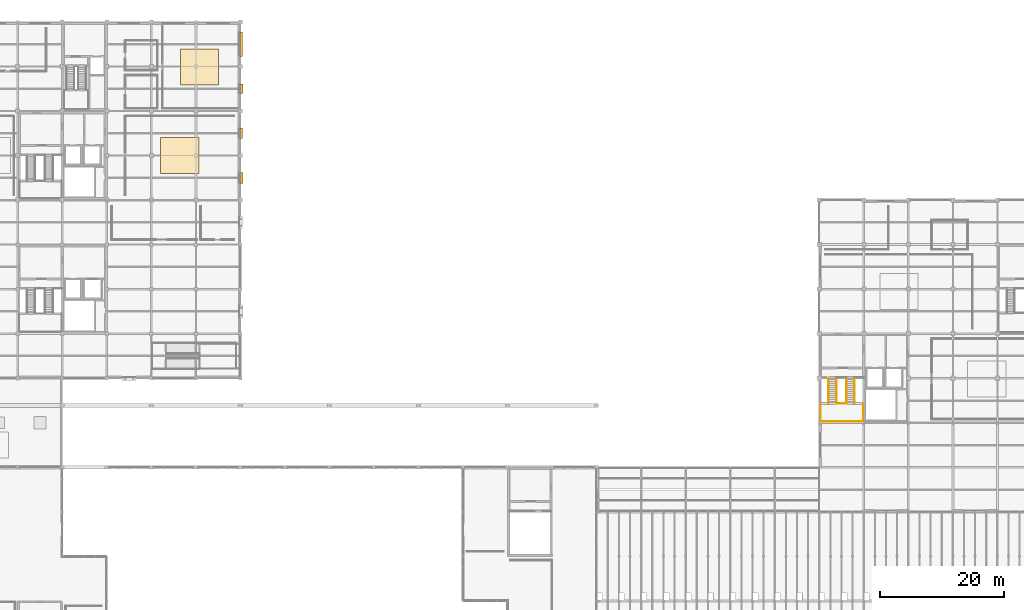
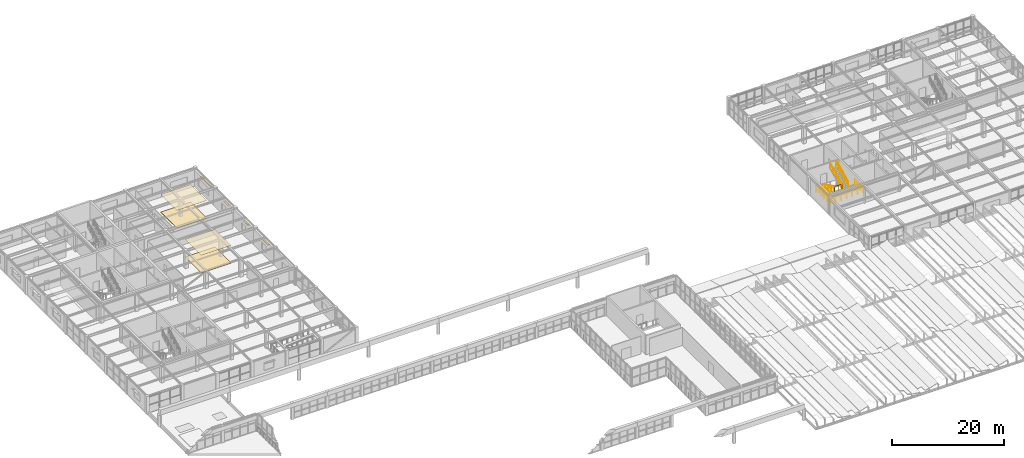
# One storey, part 82 of 83: 8 railings, 4 coverings, 4 shading devices.
"""IFC4 building model written with IfcOpenShell, lengths in metres."""

from ifc_helpers import new_model, si_unit, direction, frame, origin, origin_2d, place, context, subcontext, project, spatial, rectangle, circle, extrude, material, layer, layer_set, type_object, element, save


model = new_model("IFC4")

# Units and contexts
model_context = context("Model", 3, precision=1e-05, world=origin(), true_north=direction((0.0, 1.0)))
body_context = subcontext(model_context, "Body", "Model", "MODEL_VIEW")
ifc_project = project(units=[si_unit("LENGTHUNIT", "METRE"), si_unit("AREAUNIT", "SQUARE_METRE"), si_unit("VOLUMEUNIT", "CUBIC_METRE"), si_unit("PLANEANGLEUNIT", "RADIAN"), si_unit("MASSUNIT", "GRAM", prefix="KILO")], contexts=[model_context])

# Site, building, storey
site_placement = place(None, origin())
site = spatial("IfcSite", under=ifc_project, at=site_placement, CompositionType="ELEMENT")
building_placement = place(site_placement, origin())
building = spatial("IfcBuilding", under=site, at=building_placement, Name="Leyfeld Transit Interchange", CompositionType="ELEMENT")
storey_placement = place(building_placement, frame((0.0, 0.0, 5.39990234375)))
storey = spatial("IfcBuildingStorey", under=building, at=storey_placement, Name="L01", CompositionType="ELEMENT", Elevation=5.39990234375)

# Coverings
ifc_material_1 = material(Name="Austrian larch acoustic slat ceiling", Category="wood")
ifc_layer_1 = layer(ifc_material_1, 0.0400390625, Name="Austrian larch acoustic slat ceiling")
ifc_layer_set_1 = layer_set([ifc_layer_1], Name="Austrian larch acoustic slat ceiling")
covering_type_1 = type_object("IfcCoveringType", Name="COV-CLG-LRC", PredefinedType="CEILING", material=ifc_layer_set_1)
for number, where, z_axis, x_axis, name in (
    (1, (33.39990234375, 100.800048828125, 3.844970703125), (0.0, 0.0, 1.0), (1.0, 0.0, 0.0), "Acoustic Slat Ceiling Train & Coach Drivers Lounge"),
    (2, (36.60009765625, 115.10009765625, 3.844970703125), (0.0, 0.0, 1.0), (1.0, 0.0, 0.0), "Acoustic Slat Ceiling Crew Roster & Dispatch Planning Office"),
):
    element("IfcCovering", number, at=place(storey_placement, frame(where, z_axis=z_axis, x_axis=x_axis)), inside=storey, type_object=covering_type_1, Name=name, PredefinedType="CEILING", context=body_context, shape_type="SweptSolid", body=[
        extrude(rectangle(XDim=6.199951171875, YDim=5.800048828125, at=origin_2d()), origin(), (0.0, 0.0, 1.0), 0.0400390625),
    ])
ifc_material_2 = material(Name="Polished Danube terrazzo flooring", Category="stone")
ifc_layer_2 = layer(ifc_material_2, 0.030029296875, Name="Polished Danube terrazzo flooring")
ifc_layer_set_2 = layer_set([ifc_layer_2], Name="Polished Danube terrazzo flooring")
covering_type_2 = type_object("IfcCoveringType", Name="COV-FLR-TRZ", PredefinedType="FLOORING", material=ifc_layer_set_2)
for number, where, z_axis, x_axis, name in (
    (3, (33.39990234375, 100.800048828125, 0.0), (0.0, 0.0, 1.0), (1.0, 0.0, 0.0), "Terrazzo Flooring Train & Coach Drivers Lounge"),
    (4, (36.60009765625, 115.10009765625, 0.0), (0.0, 0.0, 1.0), (1.0, 0.0, 0.0), "Terrazzo Flooring Crew Roster & Dispatch Planning Office"),
):
    element("IfcCovering", number, at=place(storey_placement, frame(where, z_axis=z_axis, x_axis=x_axis)), inside=storey, type_object=covering_type_2, Name=name, PredefinedType="FLOORING", context=body_context, shape_type="SweptSolid", body=[
        extrude(rectangle(XDim=6.199951171875, YDim=5.800048828125, at=origin_2d()), origin(), (0.0, 0.0, 1.0), 0.030029296875),
    ])

# Railings
ifc_material_3 = material(Name="Stainless steel EN 1.4404", Category="steel")
railing_type_1 = type_object("IfcRailingType", Name="RL-STR-GRD-1100", PredefinedType="GUARDRAIL", material=ifc_material_3)
railing_1_placement = place(storey_placement, frame((139.610107421875, 60.699951171875, 2.10009765625)))
element("IfcRailing", 5, at=railing_1_placement, inside=storey, type_object=railing_type_1, Name="Stair ST-04 L01 Half-Landing Inner Guard", PredefinedType="GUARDRAIL", context=body_context, shape_type="SweptSolid", body=[
    extrude(circle(Radius=0.02392578125, at=origin_2d()), frame((0.0, 0.0, 1.09619140625), z_axis=(1.0, 0.0, 0.0), x_axis=(0.0, 1.0, 0.0)), (0.0, 0.0, 1.0), 1.579833984375),
    extrude(circle(Radius=0.02099609375, at=origin_2d()), origin(), (0.0, 0.0, 1.0), 1.072021484375),
    extrude(circle(Radius=0.02099609375, at=origin_2d()), frame((0.7900390625, 0.0, 0.0)), (0.0, 0.0, 1.0), 1.072021484375),
    extrude(circle(Radius=0.02099609375, at=origin_2d()), frame((1.579833984375, 0.0, 0.0)), (0.0, 0.0, 1.0), 1.072021484375),
])
railing_2_placement = place(storey_placement, frame((137.030029296875, 60.699951171875, 2.10009765625)))
element("IfcRailing", 6, at=railing_2_placement, inside=storey, type_object=railing_type_1, Name="Stair ST-04 L01 Half-Landing Perimeter Guard", PredefinedType="GUARDRAIL", context=body_context, shape_type="SweptSolid", body=[
    extrude(circle(Radius=0.02392578125, at=origin_2d()), frame((0.0, 0.0, 1.09619140625), z_axis=(0.0, -1.0, 0.0), x_axis=(1.0, 0.0, 0.0)), (0.0, 0.0, 1.0), 2.869873046875),
    extrude(circle(Radius=0.02392578125, at=origin_2d()), frame((0.0, -2.869873046875, 1.09619140625), z_axis=(1.0, 0.0, 0.0), x_axis=(0.0, 1.0, 0.0)), (0.0, 0.0, 1.0), 6.889892578125),
    extrude(circle(Radius=0.02392578125, at=origin_2d()), frame((6.889892578125, -2.869873046875, 1.09619140625), z_axis=(0.0, 1.0, 0.0), x_axis=(-1.0, 0.0, 0.0)), (0.0, 0.0, 1.0), 2.869873046875),
    extrude(circle(Radius=0.02099609375, at=origin_2d()), origin(), (0.0, 0.0, 1.0), 1.072021484375),
    extrude(circle(Radius=0.02099609375, at=origin_2d()), frame((0.0, -0.95654296875, 0.0)), (0.0, 0.0, 1.0), 1.072021484375),
    extrude(circle(Radius=0.02099609375, at=origin_2d()), frame((0.0, -1.913330078125, 0.0)), (0.0, 0.0, 1.0), 1.072021484375),
    extrude(circle(Radius=0.02099609375, at=origin_2d()), frame((0.0, -2.869873046875, 0.0)), (0.0, 0.0, 1.0), 1.072021484375),
    extrude(circle(Radius=0.02099609375, at=origin_2d()), frame((1.1484375, -2.869873046875, 0.0)), (0.0, 0.0, 1.0), 1.072021484375),
    extrude(circle(Radius=0.02099609375, at=origin_2d()), frame((2.296630859375, -2.869873046875, 0.0)), (0.0, 0.0, 1.0), 1.072021484375),
    extrude(circle(Radius=0.02099609375, at=origin_2d()), frame((3.44482421875, -2.869873046875, 0.0)), (0.0, 0.0, 1.0), 1.072021484375),
    extrude(circle(Radius=0.02099609375, at=origin_2d()), frame((4.59326171875, -2.869873046875, 0.0)), (0.0, 0.0, 1.0), 1.072021484375),
    extrude(circle(Radius=0.02099609375, at=origin_2d()), frame((5.74169921875, -2.869873046875, 0.0)), (0.0, 0.0, 1.0), 1.072021484375),
    extrude(circle(Radius=0.02099609375, at=origin_2d()), frame((6.889892578125, -2.869873046875, 0.0)), (0.0, 0.0, 1.0), 1.072021484375),
    extrude(circle(Radius=0.02099609375, at=origin_2d()), frame((6.889892578125, -1.913330078125, 0.0)), (0.0, 0.0, 1.0), 1.072021484375),
    extrude(circle(Radius=0.02099609375, at=origin_2d()), frame((6.889892578125, -0.95654296875, 0.0)), (0.0, 0.0, 1.0), 1.072021484375),
    extrude(circle(Radius=0.02099609375, at=origin_2d()), frame((6.889892578125, 0.0, 0.0)), (0.0, 0.0, 1.0), 1.072021484375),
])
for number, where, name in (
    (7, (139.610107421875, 64.89990234375, 0.0), "Stair ST-04 L01 F1 Inner Guard"),
    (8, (138.2900390625, 64.89990234375, 0.0), "Stair ST-04 L01 F1 Outer Guard"),
):
    element("IfcRailing", number, at=place(storey_placement, frame(where)), inside=storey, type_object=railing_type_1, Name=name, PredefinedType="GUARDRAIL", context=body_context, shape_type="SweptSolid", body=[
        extrude(circle(Radius=0.02392578125, at=origin_2d()), frame((0.0, 0.0, 1.09619140625), z_axis=(0.0, -0.892691601492, 0.450668064795), x_axis=(1.0, 0.0, 0.0)), (0.0, 0.0, 1.0), 4.659912109375),
        extrude(circle(Radius=0.02099609375, at=origin_2d()), origin(), (0.0, 0.0, 1.0), 1.072021484375),
        extrude(circle(Radius=0.02099609375, at=origin_2d()), frame((0.0, -1.0400390625, 0.52490234375)), (0.0, 0.0, 1.0), 1.072021484375),
        extrude(circle(Radius=0.02099609375, at=origin_2d()), frame((0.0, -2.080078125, 1.050048828125)), (0.0, 0.0, 1.0), 1.072021484375),
        extrude(circle(Radius=0.02099609375, at=origin_2d()), frame((0.0, -3.119873046875, 1.5751953125)), (0.0, 0.0, 1.0), 1.072021484375),
        extrude(circle(Radius=0.02099609375, at=origin_2d()), frame((0.0, -4.159912109375, 2.10009765625)), (0.0, 0.0, 1.0), 1.072021484375),
    ])
for number, where, name in (
    (9, (141.18994140625, 60.739990234375, 2.10009765625), "Stair ST-04 L01 F2 Inner Guard"),
    (10, (142.510009765625, 60.739990234375, 2.10009765625), "Stair ST-04 L01 F2 Outer Guard"),
):
    element("IfcRailing", number, at=place(storey_placement, frame(where)), inside=storey, type_object=railing_type_1, Name=name, PredefinedType="GUARDRAIL", context=body_context, shape_type="SweptSolid", body=[
        extrude(circle(Radius=0.02392578125, at=origin_2d()), frame((0.0, 0.0, 1.09619140625), z_axis=(0.0, 0.892691601492, 0.450668064795), x_axis=(-1.0, 0.0, 0.0)), (0.0, 0.0, 1.0), 4.659912109375),
        extrude(circle(Radius=0.02099609375, at=origin_2d()), origin(), (0.0, 0.0, 1.0), 1.072021484375),
        extrude(circle(Radius=0.02099609375, at=origin_2d()), frame((0.0, 1.0400390625, 0.52490234375)), (0.0, 0.0, 1.0), 1.072021484375),
        extrude(circle(Radius=0.02099609375, at=origin_2d()), frame((0.0, 2.080078125, 1.050048828125)), (0.0, 0.0, 1.0), 1.072021484375),
        extrude(circle(Radius=0.02099609375, at=origin_2d()), frame((0.0, 3.119873046875, 1.5751953125)), (0.0, 0.0, 1.0), 1.072021484375),
        extrude(circle(Radius=0.02099609375, at=origin_2d()), frame((0.0, 4.159912109375, 2.10009765625)), (0.0, 0.0, 1.0), 1.072021484375),
    ])
railing_type_2 = type_object("IfcRailingType", Name="RL-STR-HND-900", PredefinedType="HANDRAIL", material=ifc_material_3)
railing_3_placement = place(storey_placement, frame((138.35009765625, 64.89990234375, 0.0)))
element("IfcRailing", 11, at=railing_3_placement, inside=storey, type_object=railing_type_2, Name="Stair ST-04 L01 F1 Handrail", PredefinedType="HANDRAIL", context=body_context, shape_type="SweptSolid", body=[
    extrude(circle(Radius=0.02392578125, at=origin_2d()), frame((0.0, 0.0, 0.8759765625), z_axis=(0.0, -0.892691601492, 0.450668064795), x_axis=(1.0, 0.0, 0.0)), (0.0, 0.0, 1.0), 4.659912109375),
    extrude(circle(Radius=0.02099609375, at=origin_2d()), origin(), (0.0, 0.0, 1.0), 0.851806640625),
    extrude(circle(Radius=0.02099609375, at=origin_2d()), frame((0.0, -1.0400390625, 0.52490234375)), (0.0, 0.0, 1.0), 0.851806640625),
    extrude(circle(Radius=0.02099609375, at=origin_2d()), frame((0.0, -2.080078125, 1.050048828125)), (0.0, 0.0, 1.0), 0.851806640625),
    extrude(circle(Radius=0.02099609375, at=origin_2d()), frame((0.0, -3.119873046875, 1.5751953125)), (0.0, 0.0, 1.0), 0.851806640625),
    extrude(circle(Radius=0.02099609375, at=origin_2d()), frame((0.0, -4.159912109375, 2.10009765625)), (0.0, 0.0, 1.0), 0.851806640625),
])
railing_4_placement = place(storey_placement, frame((142.449951171875, 60.739990234375, 2.10009765625)))
element("IfcRailing", 12, at=railing_4_placement, inside=storey, type_object=railing_type_2, Name="Stair ST-04 L01 F2 Handrail", PredefinedType="HANDRAIL", context=body_context, shape_type="SweptSolid", body=[
    extrude(circle(Radius=0.02392578125, at=origin_2d()), frame((0.0, 0.0, 0.8759765625), z_axis=(0.0, 0.892691601492, 0.450668064795), x_axis=(-1.0, 0.0, 0.0)), (0.0, 0.0, 1.0), 4.659912109375),
    extrude(circle(Radius=0.02099609375, at=origin_2d()), origin(), (0.0, 0.0, 1.0), 0.851806640625),
    extrude(circle(Radius=0.02099609375, at=origin_2d()), frame((0.0, 1.0400390625, 0.52490234375)), (0.0, 0.0, 1.0), 0.851806640625),
    extrude(circle(Radius=0.02099609375, at=origin_2d()), frame((0.0, 2.080078125, 1.050048828125)), (0.0, 0.0, 1.0), 0.851806640625),
    extrude(circle(Radius=0.02099609375, at=origin_2d()), frame((0.0, 3.119873046875, 1.5751953125)), (0.0, 0.0, 1.0), 0.851806640625),
    extrude(circle(Radius=0.02099609375, at=origin_2d()), frame((0.0, 4.159912109375, 2.10009765625)), (0.0, 0.0, 1.0), 0.851806640625),
])

# Shading devices
ifc_material_4 = material(Name="Anodised aluminium EN AW-6060 T66", Category="aluminium")
ifc_layer_3 = layer(ifc_material_4, 0.054931640625, Name="Anodised aluminium EN AW-6060 T66")
ifc_layer_set_3 = layer_set([ifc_layer_3], Name="Anodised aluminium EN AW-6060 T66")
shading_device_type_1 = type_object("IfcShadingDeviceType", Name="SHD-ALU-380", PredefinedType="JALOUSIE", material=ifc_layer_set_3)
shading_device_1_placement = place(storey_placement, frame((43.3701171875, 118.800048828125, 2.72265625), z_axis=(0.0, 0.0, 1.0), x_axis=(0.0, -1.0, 0.0)))
element("IfcShadingDevice", 13, at=shading_device_1_placement, inside=storey, type_object=shading_device_type_1, Name="Prairie Solar Shading Fin 016", PredefinedType="JALOUSIE", context=body_context, shape_type="SweptSolid", body=[
    extrude(rectangle(XDim=3.89990234375, YDim=0.3798828125, at=origin_2d()), origin(), (0.0, 0.0, 1.0), 0.054931640625),
])
shading_device_2_placement = place(storey_placement, frame((43.3701171875, 104.39990234375, 2.4228515625), z_axis=(0.0, 0.0, 1.0), x_axis=(0.0, -1.0, 0.0)))
element("IfcShadingDevice", 14, at=shading_device_2_placement, inside=storey, type_object=shading_device_type_1, Name="Prairie Solar Shading Fin 018", PredefinedType="JALOUSIE", context=body_context, shape_type="SweptSolid", body=[
    extrude(rectangle(XDim=1.64990234375, YDim=0.3798828125, at=origin_2d()), origin(), (0.0, 0.0, 1.0), 0.054931640625),
])
ifc_material_5 = material(Name="Austrian larch glulam GL28h", Category="wood")
ifc_layer_4 = layer(ifc_material_5, 0.06494140625, Name="Austrian larch glulam GL28h")
ifc_layer_set_4 = layer_set([ifc_layer_4], Name="Austrian larch glulam GL28h")
shading_device_type_2 = type_object("IfcShadingDeviceType", Name="SHD-LRC-450", PredefinedType="JALOUSIE", material=ifc_layer_set_4)
shading_device_3_placement = place(storey_placement, frame((43.405029296875, 111.60009765625, 2.317626953125), z_axis=(0.0, 0.0, 1.0), x_axis=(0.0, -1.0, 0.0)))
element("IfcShadingDevice", 15, at=shading_device_3_placement, inside=storey, type_object=shading_device_type_2, Name="Prairie Solar Shading Fin 017", PredefinedType="JALOUSIE", context=body_context, shape_type="SweptSolid", body=[
    extrude(rectangle(XDim=1.550048828125, YDim=0.449951171875, at=origin_2d()), origin(), (0.0, 0.0, 1.0), 0.06494140625),
])
shading_device_4_placement = place(storey_placement, frame((43.405029296875, 97.199951171875, 2.467529296875), z_axis=(0.0, 0.0, 1.0), x_axis=(0.0, -1.0, 0.0)))
element("IfcShadingDevice", 16, at=shading_device_4_placement, inside=storey, type_object=shading_device_type_2, Name="Prairie Solar Shading Fin 019", PredefinedType="JALOUSIE", context=body_context, shape_type="SweptSolid", body=[
    extrude(rectangle(XDim=1.800048828125, YDim=0.449951171875, at=origin_2d()), origin(), (0.0, 0.0, 1.0), 0.06494140625),
])

save(model, "model.ifc")
